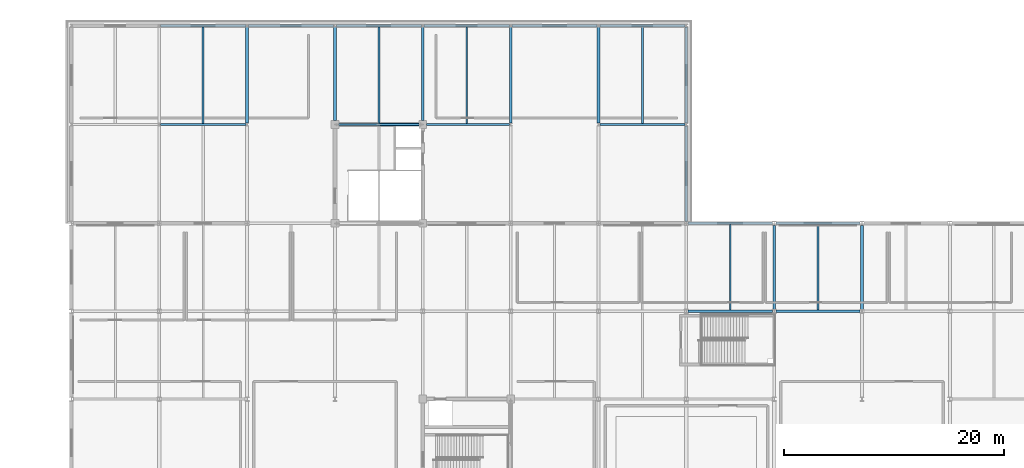
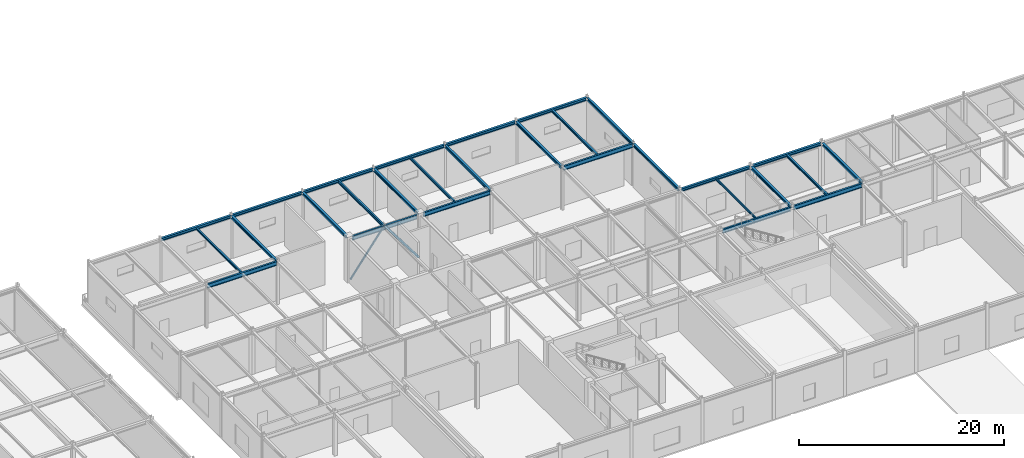
# One storey, part 47 of 108: 29 beams, 2 members.
"""IFC4 building model written with IfcOpenShell, lengths in metres."""

from ifc_helpers import new_model, si_unit, direction, frame, origin, origin_2d, place, context, subcontext, project, spatial, hollow_rectangle, hollow_circle, i_section, extrude, material, material_profile, profile_set, type_object, element, save


model = new_model("IFC4")

# Units and contexts
model_context = context("Model", 3, precision=1e-05, world=origin(), true_north=direction((0.0, 1.0)))
body_context = subcontext(model_context, "Body", "Model", "MODEL_VIEW")
ifc_project = project(units=[si_unit("LENGTHUNIT", "METRE"), si_unit("AREAUNIT", "SQUARE_METRE"), si_unit("VOLUMEUNIT", "CUBIC_METRE"), si_unit("PLANEANGLEUNIT", "RADIAN"), si_unit("MASSUNIT", "GRAM", prefix="KILO")], contexts=[model_context])

# Site, building, storey
site_placement = place(None, origin())
site = spatial("IfcSite", under=ifc_project, at=site_placement, CompositionType="ELEMENT")
building_placement = place(site_placement, origin())
building = spatial("IfcBuilding", under=site, at=building_placement, Name="Zhaolan Boulevard Law Courts", CompositionType="ELEMENT")
storey_placement = place(building_placement, frame((0.0, 0.0, 10.800048828125)))
storey = spatial("IfcBuildingStorey", under=building, at=storey_placement, Name="L02", CompositionType="ELEMENT", Elevation=10.800048828125)

# Members
ifc_material_1 = material(Name="Structural steel Q355B", Category="steel")
ifc_material_profile_1 = material_profile(ifc_material_1, hollow_circle(Radius=0.136474609375, WallThickness=0.010009765625, at=origin_2d()), Name="CHS273x10")
ifc_profile_set_1 = profile_set([ifc_material_profile_1], Name="Structural steel Q355B")
member_type_1 = type_object("IfcMemberType", Name="BRACE CHS273", PredefinedType="BRACE", material=ifc_profile_set_1)
member_1_placement = place(storey_placement, frame((83.820068359375, 103.0, 0.030029296875), z_axis=(-0.60027004321, 0.0, 0.79979739636), x_axis=(0.0, -1.0, 0.0)))
element("IfcMember", 1, at=member_1_placement, inside=storey, type_object=member_type_1, Name="Core Brace BR-C1-L02-N2", PredefinedType="BRACE", context=body_context, shape_type="SweptSolid", body=[
    extrude(hollow_circle(Radius=0.136474609375, WallThickness=0.010009765625, at=origin_2d()), origin(), (0.0, 0.0, 1.0), 6.364013671875),
])
ifc_material_2 = material(Name="Structural steel Q355B", Category="steel")
ifc_material_profile_2 = material_profile(ifc_material_2, hollow_rectangle(XDim=0.159912109375, YDim=0.159912109375, WallThickness=0.008056640625, InnerFilletRadius=0.008056640625, OuterFilletRadius=0.01611328125, at=origin_2d()), Name="HSS160x160x8")
ifc_profile_set_2 = profile_set([ifc_material_profile_2], Name="Structural steel Q355B")
member_type_2 = type_object("IfcMemberType", Name="BRACE HSS160", PredefinedType="BRACE", material=ifc_profile_set_2)
member_2_placement = place(storey_placement, frame((76.179931640625, 103.0, 0.030029296875), z_axis=(0.60027004321, 0.0, 0.79979739636), x_axis=(0.0, 1.0, 0.0)))
element("IfcMember", 2, at=member_2_placement, inside=storey, type_object=member_type_2, Name="Core Brace BR-C1-L02-N1", PredefinedType="BRACE", context=body_context, shape_type="SweptSolid", body=[
    extrude(hollow_rectangle(XDim=0.159912109375, YDim=0.159912109375, WallThickness=0.008056640625, InnerFilletRadius=0.008056640625, OuterFilletRadius=0.01611328125, at=origin_2d()), origin(), (0.0, 0.0, 1.0), 6.364013671875),
])

# Beams
ifc_material_3 = material(Name="Structural steel Q355B", Category="steel")
ifc_material_profile_3 = material_profile(ifc_material_3, i_section(OverallWidth=0.25, OverallDepth=0.340087890625, WebThickness=0.009033203125, FlangeThickness=0.013916015625, FilletRadius=0.01611328125, at=origin_2d()), Name="HM340x250")
ifc_profile_set_3 = profile_set([ifc_material_profile_3], Name="Structural steel Q355B")
beam_type_1 = type_object("IfcBeamType", Name="GIRDER HM340", PredefinedType="BEAM", material=ifc_profile_set_3)
beam_1_placement = place(storey_placement, frame((68.0, 103.12109375, 4.968017578125), z_axis=(0.0, 1.0, 0.0), x_axis=(-1.0, 0.0, 0.0)))
element("IfcBeam", 3, at=beam_1_placement, inside=storey, type_object=beam_type_1, Name="Beam BY-L03-9-P-Q", PredefinedType="BEAM", context=body_context, shape_type="SweptSolid", body=[
    extrude(i_section(OverallWidth=0.25, OverallDepth=0.340087890625, WebThickness=0.009033203125, FlangeThickness=0.013916015625, FilletRadius=0.01611328125, at=origin_2d()), origin(), (0.0, 0.0, 1.0), 8.7578125),
])
for number, where, z_axis, x_axis, name in (
    (4, (76.0, 103.345947265625, 4.968017578125), (0.0, 1.0, 0.0), (-1.0, 0.0, 0.0), "Beam BY-L03-10-P-Q"),
    (5, (84.0, 103.345947265625, 4.968017578125), (0.0, 1.0, 0.0), (-1.0, 0.0, 0.0), "Beam BY-L03-11-P-Q"),
):
    element("IfcBeam", number, at=place(storey_placement, frame(where, z_axis=z_axis, x_axis=x_axis)), inside=storey, type_object=beam_type_1, Name=name, PredefinedType="BEAM", context=body_context, shape_type="SweptSolid", body=[
        extrude(i_section(OverallWidth=0.25, OverallDepth=0.340087890625, WebThickness=0.009033203125, FlangeThickness=0.013916015625, FilletRadius=0.01611328125, at=origin_2d()), origin(), (0.0, 0.0, 1.0), 8.532958984375),
    ])
for number, where, z_axis, x_axis, name in (
    (6, (92.0, 103.12109375, 4.968017578125), (0.0, 1.0, 0.0), (-1.0, 0.0, 0.0), "Beam BY-L03-12-P-Q"),
    (7, (100.0, 103.12109375, 4.968017578125), (0.0, 1.0, 0.0), (-1.0, 0.0, 0.0), "Beam BY-L03-13-P-Q"),
):
    element("IfcBeam", number, at=place(storey_placement, frame(where, z_axis=z_axis, x_axis=x_axis)), inside=storey, type_object=beam_type_1, Name=name, PredefinedType="BEAM", context=body_context, shape_type="SweptSolid", body=[
        extrude(i_section(OverallWidth=0.25, OverallDepth=0.340087890625, WebThickness=0.009033203125, FlangeThickness=0.013916015625, FilletRadius=0.01611328125, at=origin_2d()), origin(), (0.0, 0.0, 1.0), 8.7578125),
    ])
beam_2_placement = place(storey_placement, frame((108.0, 94.1708984375, 4.968017578125), z_axis=(0.0, 1.0, 0.0), x_axis=(-1.0, 0.0, 0.0)))
element("IfcBeam", 8, at=beam_2_placement, inside=storey, type_object=beam_type_1, Name="Beam BY-L03-14-N-P", PredefinedType="BEAM", context=body_context, shape_type="SweptSolid", body=[
    extrude(i_section(OverallWidth=0.25, OverallDepth=0.340087890625, WebThickness=0.009033203125, FlangeThickness=0.013916015625, FilletRadius=0.01611328125, at=origin_2d()), origin(), (0.0, 0.0, 1.0), 8.7080078125),
])
beam_3_placement = place(storey_placement, frame((108.0, 103.12109375, 4.968017578125), z_axis=(0.0, 1.0, 0.0), x_axis=(-1.0, 0.0, 0.0)))
element("IfcBeam", 9, at=beam_3_placement, inside=storey, type_object=beam_type_1, Name="Beam BY-L03-14-P-Q", PredefinedType="BEAM", context=body_context, shape_type="SweptSolid", body=[
    extrude(i_section(OverallWidth=0.25, OverallDepth=0.340087890625, WebThickness=0.009033203125, FlangeThickness=0.013916015625, FilletRadius=0.01611328125, at=origin_2d()), origin(), (0.0, 0.0, 1.0), 8.7578125),
])
for number, where, z_axis, x_axis, name in (
    (10, (116.0, 86.1708984375, 4.947998046875), (0.0, 1.0, 0.0), (-1.0, 0.0, 0.0), "Beam BY-L03-15-M-N"),
    (11, (124.0, 86.1708984375, 4.947998046875), (0.0, 1.0, 0.0), (-1.0, 0.0, 0.0), "Beam BY-L03-16-M-N"),
):
    element("IfcBeam", number, at=place(storey_placement, frame(where, z_axis=z_axis, x_axis=x_axis)), inside=storey, type_object=beam_type_1, Name=name, PredefinedType="BEAM", context=body_context, shape_type="SweptSolid", body=[
        extrude(i_section(OverallWidth=0.25, OverallDepth=0.340087890625, WebThickness=0.009033203125, FlangeThickness=0.013916015625, FilletRadius=0.01611328125, at=origin_2d()), origin(), (0.0, 0.0, 1.0), 7.658203125),
    ])
ifc_material_4 = material(Name="Structural steel Q355B", Category="steel")
ifc_material_profile_4 = material_profile(ifc_material_4, i_section(OverallWidth=0.199951171875, OverallDepth=0.5, WebThickness=0.010009765625, FlangeThickness=0.01611328125, FilletRadius=0.01806640625, at=origin_2d()), Name="HN500x200")
ifc_profile_set_4 = profile_set([ifc_material_profile_4], Name="Structural steel Q355B")
beam_type_2 = type_object("IfcBeamType", Name="GIRDER HN500", PredefinedType="BEAM", material=ifc_profile_set_4)
for number, where, z_axis, x_axis, name in (
    (12, (108.1708984375, 86.0, 4.867919921875), (1.0, 0.0, 0.0), (0.0, 1.0, 0.0), "Beam BX-L03-14-15-M"),
    (13, (116.1708984375, 86.0, 4.867919921875), (1.0, 0.0, 0.0), (0.0, 1.0, 0.0), "Beam BX-L03-15-16-M"),
):
    element("IfcBeam", number, at=place(storey_placement, frame(where, z_axis=z_axis, x_axis=x_axis)), inside=storey, type_object=beam_type_2, Name=name, PredefinedType="BEAM", context=body_context, shape_type="SweptSolid", body=[
        extrude(i_section(OverallWidth=0.199951171875, OverallDepth=0.5, WebThickness=0.010009765625, FlangeThickness=0.01611328125, FilletRadius=0.01806640625, at=origin_2d()), origin(), (0.0, 0.0, 1.0), 7.658203125),
    ])
beam_4_placement = place(storey_placement, frame((60.12109375, 103.0, 4.887939453125), z_axis=(1.0, 0.0, 0.0), x_axis=(0.0, 1.0, 0.0)))
element("IfcBeam", 14, at=beam_4_placement, inside=storey, type_object=beam_type_2, Name="Beam BX-L03-8-9-P", PredefinedType="BEAM", context=body_context, shape_type="SweptSolid", body=[
    extrude(i_section(OverallWidth=0.199951171875, OverallDepth=0.5, WebThickness=0.010009765625, FlangeThickness=0.01611328125, FilletRadius=0.01806640625, at=origin_2d()), origin(), (0.0, 0.0, 1.0), 7.7578125),
])
beam_5_placement = place(storey_placement, frame((76.345947265625, 103.0, 4.887939453125), z_axis=(1.0, 0.0, 0.0), x_axis=(0.0, 1.0, 0.0)))
element("IfcBeam", 15, at=beam_5_placement, inside=storey, type_object=beam_type_2, Name="Beam BX-L03-10-11-P", PredefinedType="BEAM", context=body_context, shape_type="SweptSolid", body=[
    extrude(i_section(OverallWidth=0.199951171875, OverallDepth=0.5, WebThickness=0.010009765625, FlangeThickness=0.01611328125, FilletRadius=0.01806640625, at=origin_2d()), origin(), (0.0, 0.0, 1.0), 7.30810546875),
])
beam_6_placement = place(storey_placement, frame((84.345947265625, 103.0, 4.887939453125), z_axis=(1.0, 0.0, 0.0), x_axis=(0.0, 1.0, 0.0)))
element("IfcBeam", 16, at=beam_6_placement, inside=storey, type_object=beam_type_2, Name="Beam BX-L03-11-12-P", PredefinedType="BEAM", context=body_context, shape_type="SweptSolid", body=[
    extrude(i_section(OverallWidth=0.199951171875, OverallDepth=0.5, WebThickness=0.010009765625, FlangeThickness=0.01611328125, FilletRadius=0.01806640625, at=origin_2d()), origin(), (0.0, 0.0, 1.0), 7.532958984375),
])
beam_7_placement = place(storey_placement, frame((100.12109375, 103.0, 4.887939453125), z_axis=(1.0, 0.0, 0.0), x_axis=(0.0, 1.0, 0.0)))
element("IfcBeam", 17, at=beam_7_placement, inside=storey, type_object=beam_type_2, Name="Beam BX-L03-13-14-P", PredefinedType="BEAM", context=body_context, shape_type="SweptSolid", body=[
    extrude(i_section(OverallWidth=0.199951171875, OverallDepth=0.5, WebThickness=0.010009765625, FlangeThickness=0.01611328125, FilletRadius=0.01806640625, at=origin_2d()), origin(), (0.0, 0.0, 1.0), 7.7578125),
])
ifc_material_5 = material(Name="Structural steel Q355B", Category="steel")
ifc_material_profile_5 = material_profile(ifc_material_5, i_section(OverallWidth=0.175048828125, OverallDepth=0.243896484375, WebThickness=0.007080078125, FlangeThickness=0.010986328125, FilletRadius=0.012939453125, at=origin_2d()), Name="HM244x175")
ifc_profile_set_5 = profile_set([ifc_material_profile_5], Name="Structural steel Q355B")
beam_type_3 = type_object("IfcBeamType", Name="JOIST HM244", PredefinedType="JOIST", material=ifc_profile_set_5)
beam_8_placement = place(storey_placement, frame((64.0, 103.095947265625, 5.015869140625), z_axis=(0.0, 1.0, 0.0), x_axis=(-1.0, 0.0, 0.0)))
element("IfcBeam", 18, at=beam_8_placement, inside=storey, type_object=beam_type_3, Name="Composite Joist J-L03-8P", PredefinedType="JOIST", context=body_context, shape_type="SweptSolid", body=[
    extrude(i_section(OverallWidth=0.175048828125, OverallDepth=0.243896484375, WebThickness=0.007080078125, FlangeThickness=0.010986328125, FilletRadius=0.012939453125, at=origin_2d()), origin(), (0.0, 0.0, 1.0), 8.782958984375),
])
ifc_material_6 = material(Name="Structural steel Q355B", Category="steel")
ifc_material_profile_6 = material_profile(ifc_material_6, i_section(OverallWidth=0.199951171875, OverallDepth=0.2939453125, WebThickness=0.008056640625, FlangeThickness=0.011962890625, FilletRadius=0.01611328125, at=origin_2d()), Name="HM294x200")
ifc_profile_set_6 = profile_set([ifc_material_profile_6], Name="Structural steel Q355B")
beam_type_4 = type_object("IfcBeamType", Name="JOIST HM294", PredefinedType="JOIST", material=ifc_profile_set_6)
beam_9_placement = place(storey_placement, frame((104.0, 103.095947265625, 4.990966796875), z_axis=(0.0, 1.0, 0.0), x_axis=(-1.0, 0.0, 0.0)))
element("IfcBeam", 19, at=beam_9_placement, inside=storey, type_object=beam_type_4, Name="Composite Joist J-L03-13P", PredefinedType="JOIST", context=body_context, shape_type="SweptSolid", body=[
    extrude(i_section(OverallWidth=0.199951171875, OverallDepth=0.2939453125, WebThickness=0.008056640625, FlangeThickness=0.011962890625, FilletRadius=0.01611328125, at=origin_2d()), origin(), (0.0, 0.0, 1.0), 8.782958984375),
])
beam_10_placement = place(storey_placement, frame((120.0, 86.095947265625, 4.970947265625), z_axis=(0.0, 1.0, 0.0), x_axis=(-1.0, 0.0, 0.0)))
element("IfcBeam", 20, at=beam_10_placement, inside=storey, type_object=beam_type_4, Name="Composite Joist J-L03-15M", PredefinedType="JOIST", context=body_context, shape_type="SweptSolid", body=[
    extrude(i_section(OverallWidth=0.199951171875, OverallDepth=0.2939453125, WebThickness=0.008056640625, FlangeThickness=0.011962890625, FilletRadius=0.01611328125, at=origin_2d()), origin(), (0.0, 0.0, 1.0), 7.782958984375),
])
ifc_material_7 = material(Name="Structural steel Q355B", Category="steel")
ifc_material_profile_7 = material_profile(ifc_material_7, i_section(OverallWidth=0.125, OverallDepth=0.25, WebThickness=0.006103515625, FlangeThickness=0.009033203125, FilletRadius=0.010009765625, at=origin_2d()), Name="HN250x125")
ifc_profile_set_7 = profile_set([ifc_material_profile_7], Name="Structural steel Q355B")
beam_type_5 = type_object("IfcBeamType", Name="JOIST HN250", PredefinedType="JOIST", material=ifc_profile_set_7)
beam_11_placement = place(storey_placement, frame((112.0, 86.095947265625, 4.992919921875), z_axis=(0.0, 1.0, 0.0), x_axis=(-1.0, 0.0, 0.0)))
element("IfcBeam", 21, at=beam_11_placement, inside=storey, type_object=beam_type_5, Name="Composite Joist J-L03-14M", PredefinedType="JOIST", context=body_context, shape_type="SweptSolid", body=[
    extrude(i_section(OverallWidth=0.125, OverallDepth=0.25, WebThickness=0.006103515625, FlangeThickness=0.009033203125, FilletRadius=0.010009765625, at=origin_2d()), origin(), (0.0, 0.0, 1.0), 7.782958984375),
])
ifc_material_8 = material(Name="Structural steel Q355B", Category="steel")
ifc_material_profile_8 = material_profile(ifc_material_8, i_section(OverallWidth=0.14990234375, OverallDepth=0.300048828125, WebThickness=0.006591796875, FlangeThickness=0.009033203125, FilletRadius=0.010986328125, at=origin_2d()), Name="HN300x150")
ifc_profile_set_8 = profile_set([ifc_material_profile_8], Name="Structural steel Q355B")
beam_type_6 = type_object("IfcBeamType", Name="JOIST HN300", PredefinedType="JOIST", material=ifc_profile_set_8)
beam_12_placement = place(storey_placement, frame((88.0, 103.095947265625, 4.988037109375), z_axis=(0.0, 1.0, 0.0), x_axis=(-1.0, 0.0, 0.0)))
element("IfcBeam", 22, at=beam_12_placement, inside=storey, type_object=beam_type_6, Name="Composite Joist J-L03-11P", PredefinedType="JOIST", context=body_context, shape_type="SweptSolid", body=[
    extrude(i_section(OverallWidth=0.14990234375, OverallDepth=0.300048828125, WebThickness=0.006591796875, FlangeThickness=0.009033203125, FilletRadius=0.010986328125, at=origin_2d()), origin(), (0.0, 0.0, 1.0), 8.782958984375),
])
ifc_material_9 = material(Name="Structural steel Q355B", Category="steel")
ifc_material_profile_9 = material_profile(ifc_material_9, i_section(OverallWidth=0.175048828125, OverallDepth=0.35009765625, WebThickness=0.007080078125, FlangeThickness=0.010986328125, FilletRadius=0.012939453125, at=origin_2d()), Name="HN350x175")
ifc_profile_set_9 = profile_set([ifc_material_profile_9], Name="Structural steel Q355B")
beam_type_7 = type_object("IfcBeamType", Name="JOIST HN350", PredefinedType="JOIST", material=ifc_profile_set_9)
beam_13_placement = place(storey_placement, frame((80.0, 103.095947265625, 4.962890625), z_axis=(0.0, 1.0, 0.0), x_axis=(-1.0, 0.0, 0.0)))
element("IfcBeam", 23, at=beam_13_placement, inside=storey, type_object=beam_type_7, Name="Composite Joist J-L03-10P", PredefinedType="JOIST", context=body_context, shape_type="SweptSolid", body=[
    extrude(i_section(OverallWidth=0.175048828125, OverallDepth=0.35009765625, WebThickness=0.007080078125, FlangeThickness=0.010986328125, FilletRadius=0.012939453125, at=origin_2d()), origin(), (0.0, 0.0, 1.0), 8.782958984375),
])
ifc_material_10 = material(Name="Structural steel Q355B", Category="steel")
ifc_material_profile_10 = material_profile(ifc_material_10, i_section(OverallWidth=0.25, OverallDepth=0.340087890625, WebThickness=0.009033203125, FlangeThickness=0.013916015625, FilletRadius=0.01611328125, at=origin_2d()), Name="HM340x250")
ifc_profile_set_10 = profile_set([ifc_material_profile_10], Name="Structural steel Q355B")
beam_type_8 = type_object("IfcBeamType", Name="SPANDREL HM340", PredefinedType="SPANDREL", material=ifc_profile_set_10)
for number, where, z_axis, x_axis, name in (
    (24, (108.1708984375, 94.0, 4.947998046875), (1.0, 0.0, 0.0), (0.0, 1.0, 0.0), "Beam BX-L03-14-15-N"),
    (25, (116.1708984375, 94.0, 4.947998046875), (1.0, 0.0, 0.0), (0.0, 1.0, 0.0), "Beam BX-L03-15-16-N"),
):
    element("IfcBeam", number, at=place(storey_placement, frame(where, z_axis=z_axis, x_axis=x_axis)), inside=storey, type_object=beam_type_8, Name=name, PredefinedType="SPANDREL", context=body_context, shape_type="SweptSolid", body=[
        extrude(i_section(OverallWidth=0.25, OverallDepth=0.340087890625, WebThickness=0.009033203125, FlangeThickness=0.013916015625, FilletRadius=0.01611328125, at=origin_2d()), origin(), (0.0, 0.0, 1.0), 7.658203125),
    ])
for number, where, z_axis, x_axis, name in (
    (26, (60.12109375, 112.0, 4.968017578125), (1.0, 0.0, 0.0), (0.0, 1.0, 0.0), "Beam BX-L03-8-9-Q"),
    (27, (68.12109375, 112.0, 4.968017578125), (1.0, 0.0, 0.0), (0.0, 1.0, 0.0), "Beam BX-L03-9-10-Q"),
    (28, (76.12109375, 112.0, 4.968017578125), (1.0, 0.0, 0.0), (0.0, 1.0, 0.0), "Beam BX-L03-10-11-Q"),
    (29, (84.12109375, 112.0, 4.968017578125), (1.0, 0.0, 0.0), (0.0, 1.0, 0.0), "Beam BX-L03-11-12-Q"),
    (30, (92.12109375, 112.0, 4.968017578125), (1.0, 0.0, 0.0), (0.0, 1.0, 0.0), "Beam BX-L03-12-13-Q"),
    (31, (100.12109375, 112.0, 4.968017578125), (1.0, 0.0, 0.0), (0.0, 1.0, 0.0), "Beam BX-L03-13-14-Q"),
):
    element("IfcBeam", number, at=place(storey_placement, frame(where, z_axis=z_axis, x_axis=x_axis)), inside=storey, type_object=beam_type_8, Name=name, PredefinedType="SPANDREL", context=body_context, shape_type="SweptSolid", body=[
        extrude(i_section(OverallWidth=0.25, OverallDepth=0.340087890625, WebThickness=0.009033203125, FlangeThickness=0.013916015625, FilletRadius=0.01611328125, at=origin_2d()), origin(), (0.0, 0.0, 1.0), 7.7578125),
    ])

save(model, "model.ifc")
